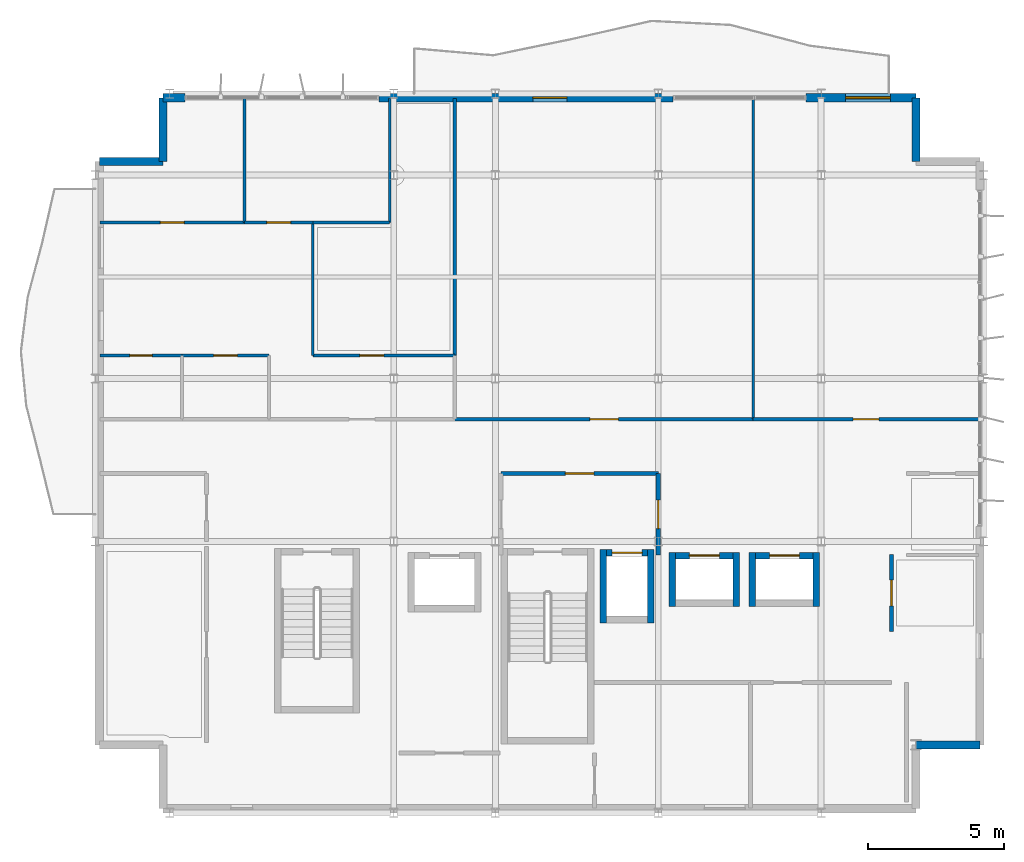
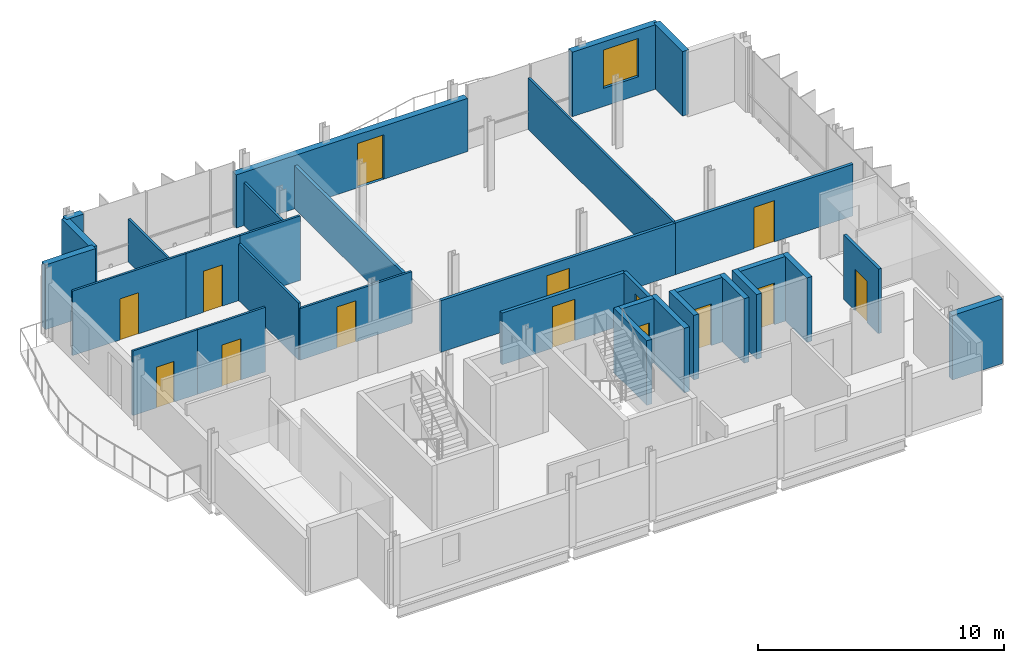
# One storey, part 9 of 12: 32 walls, 14 doors, 1 window, 15 openings.
"""IFC4 building model written with IfcOpenShell, lengths in metres."""

from ifc_helpers import new_model, si_unit, direction, frame, frame_2d, origin, place, context, subcontext, project, spatial, rectangle, extrude, material, layer, layer_set, type_object, element, fill, save


model = new_model("IFC4")

# Units and contexts
model_context = context("Model", 3, precision=1e-05, world=origin(), true_north=direction((0.0, 1.0)))
body_context = subcontext(model_context, "Body", "Model", "MODEL_VIEW")
ifc_project = project(units=[si_unit("LENGTHUNIT", "METRE"), si_unit("AREAUNIT", "SQUARE_METRE"), si_unit("VOLUMEUNIT", "CUBIC_METRE"), si_unit("PLANEANGLEUNIT", "RADIAN"), si_unit("MASSUNIT", "GRAM", prefix="KILO")], contexts=[model_context])

# Site, building, storey
site_placement = place(None, origin())
site = spatial("IfcSite", under=ifc_project, at=site_placement, CompositionType="ELEMENT")
building_placement = place(site_placement, origin())
building = spatial("IfcBuilding", under=site, at=building_placement, Name="Brevholm Reach", CompositionType="ELEMENT")
storey_placement = place(building_placement, frame((0.0, 0.0, 236.60009765625)))
storey = spatial("IfcBuildingStorey", under=building, at=storey_placement, Name="L72", CompositionType="ELEMENT", Elevation=236.60009765625)

# Walls
ifc_material_1 = material(Name="Concrete C45/55", Category="concrete")
ifc_layer_1 = layer(ifc_material_1, 0.239990234375)
ifc_layer_set_1 = layer_set([ifc_layer_1], Name="Concrete C45/55")
wall_type_1 = type_object("IfcWallType", Name="WAL-COR-240", PredefinedType="SHEAR", material=ifc_layer_set_1)
for number, where, z_axis, x_axis, name in (
    (1, (45.969970703125, 7.0, 0.0), (0.0, 0.0, 1.0), (0.0, 1.0, 0.0), "L72 Lift FFL-2 Shaft Wall W"),
    (2, (47.72998046875, 7.0, 0.0), (0.0, 0.0, 1.0), (0.0, 1.0, 0.0), "L72 Lift FFL-2 Shaft Wall E"),
):
    element("IfcWall", number, at=place(storey_placement, frame(where, z_axis=z_axis, x_axis=x_axis)), inside=storey, type_object=wall_type_1, Name=name, PredefinedType="SHEAR", context=body_context, shape_type="SweptSolid", body=[
        extrude(rectangle(XDim=2.699951171875, YDim=0.239990234375, at=frame_2d((1.35009765625, 0.0))), origin(), (0.0, 0.0, 1.0), 3.199951171875),
    ])

# Wall, opening, door
wall_1_placement = place(storey_placement, frame((46.090087890625, 9.580078125, 0.0), z_axis=(0.0, 0.0, 1.0), x_axis=(1.0, 0.0, 0.0)))
wall_1 = element("IfcWall", 3, at=wall_1_placement, inside=storey, type_object=wall_type_1, Name="L72 Lift FFL-2 Shaft Wall N", PredefinedType="SHEAR", context=body_context, shape_type="SweptSolid", body=[
    extrude(rectangle(XDim=1.52001953125, YDim=0.239990234375, at=frame_2d((0.760009765625, 0.0))), origin(), (0.0, 0.0, 1.0), 3.199951171875),
])
opening_1_placement = place(wall_1_placement, frame((0.2099609375, 0.0, 0.0)))
opening_1 = element("IfcOpeningElement", 4, at=opening_1_placement, cuts=wall_1, Name="Opening LD-FFL-2", PredefinedType="OPENING", context=body_context, shape_type="SweptSolid", body=[
    extrude(rectangle(XDim=1.10009765625, YDim=2.06005859375, at=frame_2d((0.550048828125, 1.030029296875))), frame((0.0, 0.1298828125, 0.0), z_axis=(0.0, -1.0, 0.0), x_axis=(1.0, 0.0, 0.0)), (0.0, 0.0, 1.0), 0.260009765625),
])
ifc_material_2 = material(Name="Brushed Stainless Steel Fire-Rated Sliding Lift Door", Category="steel")
door_type_1 = type_object("IfcDoorType", Name="DOR-LFT-1100", OperationType="NOTDEFINED", PredefinedType="DOOR", material=ifc_material_2)
door_1_placement = place(opening_1_placement, origin())
door_1 = element("IfcDoor", 5, at=door_1_placement, inside=storey, type_object=door_type_1, Name="L72 Lift FFL-2 Sliding Landing Door", OperationType="SLIDING_TO_LEFT", OverallHeight=2.06005859375, OverallWidth=1.10009765625, PredefinedType="DOOR", context=body_context, shape_type="SweptSolid", body=[
    extrude(rectangle(XDim=1.10009765625, YDim=2.06005859375, at=frame_2d((0.550048828125, 1.030029296875))), frame((0.0, 0.02490234375, 0.0), z_axis=(0.0, -1.0, 0.0), x_axis=(1.0, 0.0, 0.0)), (0.0, 0.0, 1.0), 0.050048828125),
])
fill(opening_1, door_1)

# Walls
for number, where, z_axis, x_axis, name in (
    (6, (48.52001953125, 7.60009765625, 0.0), (0.0, 0.0, 1.0), (0.0, 1.0, 0.0), "L72 Lift PL-H1 Shaft Wall W"),
    (7, (50.8798828125, 7.60009765625, 0.0), (0.0, 0.0, 1.0), (0.0, 1.0, 0.0), "L72 Lift PL-H1 Shaft Wall E"),
):
    element("IfcWall", number, at=place(storey_placement, frame(where, z_axis=z_axis, x_axis=x_axis)), inside=storey, type_object=wall_type_1, Name=name, PredefinedType="SHEAR", context=body_context, shape_type="SweptSolid", body=[
        extrude(rectangle(XDim=2.0, YDim=0.239990234375, at=frame_2d((1.0, 0.0))), origin(), (0.0, 0.0, 1.0), 3.199951171875),
    ])

# Wall, opening, door
wall_2_placement = place(storey_placement, frame((48.639892578125, 9.47998046875, 0.0), z_axis=(0.0, 0.0, 1.0), x_axis=(1.0, 0.0, 0.0)))
wall_2 = element("IfcWall", 8, at=wall_2_placement, inside=storey, type_object=wall_type_1, Name="L72 Lift PL-H1 Shaft Wall N", PredefinedType="SHEAR", context=body_context, shape_type="SweptSolid", body=[
    extrude(rectangle(XDim=2.1201171875, YDim=0.239990234375, at=frame_2d((1.06005859375, 0.0))), origin(), (0.0, 0.0, 1.0), 3.199951171875),
])
opening_2_placement = place(wall_2_placement, frame((0.510009765625, 0.0, 0.0)))
opening_2 = element("IfcOpeningElement", 9, at=opening_2_placement, cuts=wall_2, Name="Opening LD-PL-H1", PredefinedType="OPENING", context=body_context, shape_type="SweptSolid", body=[
    extrude(rectangle(XDim=1.10009765625, YDim=2.06005859375, at=frame_2d((0.550048828125, 1.030029296875))), frame((0.0, 0.1298828125, 0.0), z_axis=(0.0, -1.0, 0.0), x_axis=(1.0, 0.0, 0.0)), (0.0, 0.0, 1.0), 0.260009765625),
])
door_2_placement = place(opening_2_placement, origin())
door_2 = element("IfcDoor", 10, at=door_2_placement, inside=storey, type_object=door_type_1, Name="L72 Lift PL-H1 Sliding Landing Door", OperationType="SLIDING_TO_LEFT", OverallHeight=2.06005859375, OverallWidth=1.10009765625, PredefinedType="DOOR", context=body_context, shape_type="SweptSolid", body=[
    extrude(rectangle(XDim=1.10009765625, YDim=2.06005859375, at=frame_2d((0.550048828125, 1.030029296875))), frame((0.0, 0.02490234375, 0.0), z_axis=(0.0, -1.0, 0.0), x_axis=(1.0, 0.0, 0.0)), (0.0, 0.0, 1.0), 0.050048828125),
])
fill(opening_2, door_2)

# Walls
for number, where, z_axis, x_axis, name in (
    (11, (51.469970703125, 7.60009765625, 0.0), (0.0, 0.0, 1.0), (0.0, 1.0, 0.0), "L72 Lift PL-H2 Shaft Wall W"),
    (12, (53.830078125, 7.60009765625, 0.0), (0.0, 0.0, 1.0), (0.0, 1.0, 0.0), "L72 Lift PL-H2 Shaft Wall E"),
):
    element("IfcWall", number, at=place(storey_placement, frame(where, z_axis=z_axis, x_axis=x_axis)), inside=storey, type_object=wall_type_1, Name=name, PredefinedType="SHEAR", context=body_context, shape_type="SweptSolid", body=[
        extrude(rectangle(XDim=2.0, YDim=0.239990234375, at=frame_2d((1.0, 0.0))), origin(), (0.0, 0.0, 1.0), 3.199951171875),
    ])

# Wall, opening, door
wall_3_placement = place(storey_placement, frame((51.590087890625, 9.47998046875, 0.0), z_axis=(0.0, 0.0, 1.0), x_axis=(1.0, 0.0, 0.0)))
wall_3 = element("IfcWall", 13, at=wall_3_placement, inside=storey, type_object=wall_type_1, Name="L72 Lift PL-H2 Shaft Wall N", PredefinedType="SHEAR", context=body_context, shape_type="SweptSolid", body=[
    extrude(rectangle(XDim=2.119873046875, YDim=0.239990234375, at=frame_2d((1.06005859375, 0.0))), origin(), (0.0, 0.0, 1.0), 3.199951171875),
])
opening_3_placement = place(wall_3_placement, frame((0.510009765625, 0.0, 0.0)))
opening_3 = element("IfcOpeningElement", 14, at=opening_3_placement, cuts=wall_3, Name="Opening LD-PL-H2", PredefinedType="OPENING", context=body_context, shape_type="SweptSolid", body=[
    extrude(rectangle(XDim=1.10009765625, YDim=2.06005859375, at=frame_2d((0.550048828125, 1.030029296875))), frame((0.0, 0.1298828125, 0.0), z_axis=(0.0, -1.0, 0.0), x_axis=(1.0, 0.0, 0.0)), (0.0, 0.0, 1.0), 0.260009765625),
])
door_3_placement = place(opening_3_placement, origin())
door_3 = element("IfcDoor", 15, at=door_3_placement, inside=storey, type_object=door_type_1, Name="L72 Lift PL-H2 Sliding Landing Door", OperationType="SLIDING_TO_RIGHT", OverallHeight=2.06005859375, OverallWidth=1.10009765625, PredefinedType="DOOR", context=body_context, shape_type="SweptSolid", body=[
    extrude(rectangle(XDim=1.10009765625, YDim=2.06005859375, at=frame_2d((0.550048828125, 1.030029296875))), frame((0.0, 0.02490234375, 0.0), z_axis=(0.0, -1.0, 0.0), x_axis=(1.0, 0.0, 0.0)), (0.0, 0.0, 1.0), 0.050048828125),
])
fill(opening_3, door_3)

# Walls
ifc_material_3 = material(Name="Concrete C40/50", Category="concrete")
ifc_layer_2 = layer(ifc_material_3, 0.300048828125)
ifc_layer_set_2 = layer_set([ifc_layer_2], Name="Concrete C40/50")
wall_type_2 = type_object("IfcWallType", Name="WAL-EXT-300", PredefinedType="STANDARD", material=ifc_layer_set_2)
for number, where, z_axis, x_axis, name in (
    (16, (57.5, 2.5, 0.0), (0.0, 0.0, 1.0), (1.0, 0.0, 0.0), "L72 Facade Wall WAL-L72-CSE2"),
    (17, (57.5, 24.0, 0.0), (0.0, 0.0, 1.0), (0.0, 1.0, 0.0), "L72 Facade Wall WAL-L72-CNE2"),
    (18, (29.75, 26.35009765625, 0.0), (0.0, 0.0, 1.0), (0.0, -1.0, 0.0), "L72 Facade Wall WAL-L72-CNW1"),
    (19, (29.75, 24.0, 0.0), (0.0, 0.0, 1.0), (-1.0, 0.0, 0.0), "L72 Facade Wall WAL-L72-CNW2"),
):
    element("IfcWall", number, at=place(storey_placement, frame(where, z_axis=z_axis, x_axis=x_axis)), inside=storey, type_object=wall_type_2, Name=name, PredefinedType="STANDARD", context=body_context, shape_type="SweptSolid", body=[
        extrude(rectangle(XDim=2.35009765625, YDim=0.300048828125, at=frame_2d((1.175048828125, 0.0))), origin(), (0.0, 0.0, 1.0), 3.199951171875),
    ])
wall_4_placement = place(storey_placement, frame((29.75, 26.35009765625, 0.0), z_axis=(0.0, 0.0, 1.0), x_axis=(1.0, 0.0, 0.0)))
element("IfcWall", 20, at=wall_4_placement, inside=storey, type_object=wall_type_2, Name="L72 Facade Wall WAL-L72-NP-1", PredefinedType="STANDARD", context=body_context, shape_type="SweptSolid", body=[
    extrude(rectangle(XDim=0.800048828125, YDim=0.300048828125, at=frame_2d((0.39990234375, 0.0))), origin(), (0.0, 0.0, 1.0), 3.199951171875),
])

# Wall, opening, door
wall_5_placement = place(storey_placement, frame((37.699951171875, 26.35009765625, 0.0), z_axis=(0.0, 0.0, 1.0), x_axis=(1.0, 0.0, 0.0)))
wall_5 = element("IfcWall", 21, at=wall_5_placement, inside=storey, type_object=wall_type_2, Name="L72 Facade Wall WAL-L72-NP-2", PredefinedType="STANDARD", context=body_context, shape_type="SweptSolid", body=[
    extrude(rectangle(XDim=10.85009765625, YDim=0.300048828125, at=frame_2d((5.425048828125, 0.0))), origin(), (0.0, 0.0, 1.0), 2.635498046875),
])
opening_4_placement = place(wall_5_placement, frame((5.677001953125, 0.0, 0.0)))
opening_4 = element("IfcOpeningElement", 22, at=opening_4_placement, cuts=wall_5, Name="Opening BD-02", PredefinedType="OPENING", context=body_context, shape_type="SweptSolid", body=[
    extrude(rectangle(XDim=1.25, YDim=2.199951171875, at=frame_2d((0.625, 1.10009765625))), frame((0.0, 0.159912109375, 0.0), z_axis=(0.0, -1.0, 0.0), x_axis=(1.0, 0.0, 0.0)), (0.0, 0.0, 1.0), 0.320068359375),
])
ifc_material_4 = material(Name="Dark Anodised Aluminium and Triple-Glazed Glass", Category="aluminium")
door_type_2 = type_object("IfcDoorType", Name="DOR-BALC-1250", OperationType="NOTDEFINED", PredefinedType="DOOR", material=ifc_material_4)
door_4_placement = place(opening_4_placement, origin())
door_4 = element("IfcDoor", 23, at=door_4_placement, inside=storey, type_object=door_type_2, Name="L72 Exterior Door DOR-L72-BL-NE", OperationType="SINGLE_SWING_RIGHT", OverallHeight=2.199951171875, OverallWidth=1.25, PredefinedType="DOOR", context=body_context, shape_type="SweptSolid", body=[
    extrude(rectangle(XDim=1.25, YDim=2.199951171875, at=frame_2d((0.625, 1.10009765625))), frame((0.0, 0.02490234375, 0.0), z_axis=(0.0, -1.0, 0.0), x_axis=(1.0, 0.0, 0.0)), (0.0, 0.0, 1.0), 0.050048828125),
])
fill(opening_4, door_4)

# Wall, opening, window
wall_6_placement = place(storey_placement, frame((53.449951171875, 26.35009765625, 0.0), z_axis=(0.0, 0.0, 1.0), x_axis=(1.0, 0.0, 0.0)))
wall_6 = element("IfcWall", 24, at=wall_6_placement, inside=storey, type_object=wall_type_2, Name="L72 Facade Wall WAL-L72-NP-4", PredefinedType="STANDARD", context=body_context, shape_type="SweptSolid", body=[
    extrude(rectangle(XDim=4.050048828125, YDim=0.300048828125, at=frame_2d((2.02490234375, 0.0))), origin(), (0.0, 0.0, 1.0), 3.199951171875),
])
opening_5_placement = place(wall_6_placement, frame((1.449951171875, 0.0, 0.89990234375)))
opening_5 = element("IfcOpeningElement", 25, at=opening_5_placement, cuts=wall_6, Name="Opening WN-06", PredefinedType="OPENING", context=body_context, shape_type="SweptSolid", body=[
    extrude(rectangle(XDim=1.64990234375, YDim=1.89990234375, at=frame_2d((0.824951171875, 0.949951171875))), frame((0.0, 0.159912109375, 0.0), z_axis=(0.0, -1.0, 0.0), x_axis=(1.0, 0.0, 0.0)), (0.0, 0.0, 1.0), 0.320068359375),
])
ifc_material_5 = material(Name="Dark Anodised Aluminium and Solar-Control IGU Glass", Category="aluminium")
window_type = type_object("IfcWindowType", Name="WIN-RES-1650", PartitioningType="SINGLE_PANEL", PredefinedType="WINDOW", material=ifc_material_5)
window_placement = place(opening_5_placement, origin())
window = element("IfcWindow", 26, at=window_placement, inside=storey, type_object=window_type, Name="L72 Window WIN-L72-NP-4", OverallHeight=1.89990234375, OverallWidth=1.64990234375, PartitioningType="SINGLE_PANEL", PredefinedType="WINDOW", context=body_context, shape_type="SweptSolid", body=[
    extrude(rectangle(XDim=1.64990234375, YDim=1.89990234375, at=frame_2d((0.824951171875, 0.949951171875))), frame((0.0, 0.030029296875, 0.0), z_axis=(0.0, -1.0, 0.0), x_axis=(1.0, 0.0, 0.0)), (0.0, 0.0, 1.0), 0.06005859375),
])
fill(opening_5, window)

# Wall, opening, door
ifc_material_6 = material(Name="Moisture-Resistant Acoustic Gypsum Stud Partition 100 mm", Category="gypsum")
ifc_layer_3 = layer(ifc_material_6, 0.10009765625)
ifc_layer_set_3 = layer_set([ifc_layer_3], Name="Moisture-Resistant Acoustic Gypsum Stud Partition 100 mm")
wall_type_3 = type_object("IfcWallType", Name="WAL-PRT-100", PredefinedType="PARTITIONING", material=ifc_layer_set_3)
wall_7_placement = place(storey_placement, frame((27.429931640625, 16.85009765625, 0.0), z_axis=(0.0, 0.0, 1.0), x_axis=(1.0, 0.0, 0.0)))
wall_7 = element("IfcWall", 27, at=wall_7_placement, inside=storey, type_object=wall_type_3, Name="L72 Internal Partition 022", PredefinedType="PARTITIONING", context=body_context, shape_type="SweptSolid", body=[
    extrude(rectangle(XDim=3.02001953125, YDim=0.10009765625, at=frame_2d((1.510009765625, 0.0))), origin(), (0.0, 0.0, 1.0), 3.199951171875),
])
opening_6_placement = place(wall_7_placement, frame((1.10009765625, 0.0, 0.0)))
opening_6 = element("IfcOpeningElement", 28, at=opening_6_placement, cuts=wall_7, Name="Opening ID-03", PredefinedType="OPENING", context=body_context, shape_type="SweptSolid", body=[
    extrude(rectangle(XDim=0.820068359375, YDim=2.02001953125, at=frame_2d((0.41015625, 1.010009765625))), frame((0.0, 0.06005859375, 0.0), z_axis=(0.0, -1.0, 0.0), x_axis=(1.0, 0.0, 0.0)), (0.0, 0.0, 1.0), 0.1201171875),
])
ifc_material_7 = material(Name="Moisture-Resistant Painted Timber Internal Bathroom Door", Category="wood")
door_type_3 = type_object("IfcDoorType", Name="DOR-BATH-820", OperationType="NOTDEFINED", PredefinedType="DOOR", material=ifc_material_7)
door_5_placement = place(opening_6_placement, origin())
door_5 = element("IfcDoor", 29, at=door_5_placement, inside=storey, type_object=door_type_3, Name="L72 Internal Door 014", OperationType="SINGLE_SWING_RIGHT", OverallHeight=2.02001953125, OverallWidth=0.820068359375, PredefinedType="DOOR", context=body_context, shape_type="SweptSolid", body=[
    extrude(rectangle(XDim=0.820068359375, YDim=2.02001953125, at=frame_2d((0.41015625, 1.010009765625))), frame((0.0, 0.02490234375, 0.0), z_axis=(0.0, -1.0, 0.0), x_axis=(1.0, 0.0, 0.0)), (0.0, 0.0, 1.0), 0.050048828125),
])
fill(opening_6, door_5)

wall_8_placement = place(storey_placement, frame((30.4541015625, 16.85009765625, 0.0), z_axis=(0.0, 0.0, 1.0), x_axis=(1.0, 0.0, 0.0)))
wall_8 = element("IfcWall", 30, at=wall_8_placement, inside=storey, type_object=wall_type_3, Name="L72 Internal Partition 024", PredefinedType="PARTITIONING", context=body_context, shape_type="SweptSolid", body=[
    extrude(rectangle(XDim=3.19580078125, YDim=0.10009765625, at=frame_2d((1.597900390625, 0.0))), origin(), (0.0, 0.0, 1.0), 3.199951171875),
])
opening_7_placement = place(wall_8_placement, frame((1.157958984375, 0.0, 0.0)))
opening_7 = element("IfcOpeningElement", 31, at=opening_7_placement, cuts=wall_8, Name="Opening ID-01", PredefinedType="OPENING", context=body_context, shape_type="SweptSolid", body=[
    extrude(rectangle(XDim=0.8798828125, YDim=2.0400390625, at=frame_2d((0.43994140625, 1.02001953125))), frame((0.0, 0.06005859375, 0.0), z_axis=(0.0, -1.0, 0.0), x_axis=(1.0, 0.0, 0.0)), (0.0, 0.0, 1.0), 0.1201171875),
])
ifc_material_8 = material(Name="Lacquered Ash Solid-Core Acoustic Internal Door", Category="timber")
door_type_4 = type_object("IfcDoorType", Name="DOR-INT-880", OperationType="NOTDEFINED", PredefinedType="DOOR", material=ifc_material_8)
door_6_placement = place(opening_7_placement, origin())
door_6 = element("IfcDoor", 32, at=door_6_placement, inside=storey, type_object=door_type_4, Name="L72 Internal Door 015", OperationType="SINGLE_SWING_LEFT", OverallHeight=2.0400390625, OverallWidth=0.8798828125, PredefinedType="DOOR", context=body_context, shape_type="SweptSolid", body=[
    extrude(rectangle(XDim=0.8798828125, YDim=2.0400390625, at=frame_2d((0.43994140625, 1.02001953125))), frame((0.0, 0.02490234375, 0.0), z_axis=(0.0, -1.0, 0.0), x_axis=(1.0, 0.0, 0.0)), (0.0, 0.0, 1.0), 0.050048828125),
])
fill(opening_7, door_6)

# Wall
wall_9_placement = place(storey_placement, frame((32.75, 21.75, 0.0), z_axis=(0.0, 0.0, 1.0), x_axis=(0.0, 1.0, 0.0)))
element("IfcWall", 33, at=wall_9_placement, inside=storey, type_object=wall_type_3, Name="L72 Internal Partition 025", PredefinedType="PARTITIONING", context=body_context, shape_type="SweptSolid", body=[
    extrude(rectangle(XDim=4.570068359375, YDim=0.10009765625, at=frame_2d((2.28515625, 0.0))), origin(), (0.0, 0.0, 1.0), 2.138671875),
])

# Wall, opening, door
wall_10_placement = place(storey_placement, frame((27.429931640625, 21.75, 0.0), z_axis=(0.0, 0.0, 1.0), x_axis=(1.0, 0.0, 0.0)))
wall_10 = element("IfcWall", 34, at=wall_10_placement, inside=storey, type_object=wall_type_3, Name="L72 Internal Partition 026", PredefinedType="PARTITIONING", context=body_context, shape_type="SweptSolid", body=[
    extrude(rectangle(XDim=5.320068359375, YDim=0.10009765625, at=frame_2d((2.66015625, 0.0))), origin(), (0.0, 0.0, 1.0), 3.199951171875),
])
opening_8_placement = place(wall_10_placement, frame((2.219970703125, 0.0, 0.0)))
opening_8 = element("IfcOpeningElement", 35, at=opening_8_placement, cuts=wall_10, Name="Opening ID-01", PredefinedType="OPENING", context=body_context, shape_type="SweptSolid", body=[
    extrude(rectangle(XDim=0.8798828125, YDim=2.0400390625, at=frame_2d((0.43994140625, 1.02001953125))), frame((0.0, 0.06005859375, 0.0), z_axis=(0.0, -1.0, 0.0), x_axis=(1.0, 0.0, 0.0)), (0.0, 0.0, 1.0), 0.1201171875),
])
door_7_placement = place(opening_8_placement, origin())
door_7 = element("IfcDoor", 36, at=door_7_placement, inside=storey, type_object=door_type_4, Name="L72 Internal Door 016", OperationType="SINGLE_SWING_RIGHT", OverallHeight=2.0400390625, OverallWidth=0.8798828125, PredefinedType="DOOR", context=body_context, shape_type="SweptSolid", body=[
    extrude(rectangle(XDim=0.8798828125, YDim=2.0400390625, at=frame_2d((0.43994140625, 1.02001953125))), frame((0.0, 0.02490234375, 0.0), z_axis=(0.0, -1.0, 0.0), x_axis=(1.0, 0.0, 0.0)), (0.0, 0.0, 1.0), 0.050048828125),
])
fill(opening_8, door_7)

# Walls
wall_11_placement = place(storey_placement, frame((38.10009765625, 21.75, 0.0), z_axis=(0.0, 0.0, 1.0), x_axis=(0.0, 1.0, 0.0)))
element("IfcWall", 37, at=wall_11_placement, inside=storey, type_object=wall_type_3, Name="L72 Internal Partition 027", PredefinedType="PARTITIONING", context=body_context, shape_type="SweptSolid", body=[
    extrude(rectangle(XDim=4.570068359375, YDim=0.10009765625, at=frame_2d((2.28515625, 0.0))), origin(), (0.0, 0.0, 1.0), 2.138671875),
])
wall_12_placement = place(storey_placement, frame((35.255615234375, 21.75, 0.0), z_axis=(0.0, 0.0, 1.0), x_axis=(1.0, 0.0, 0.0)))
element("IfcWall", 38, at=wall_12_placement, inside=storey, type_object=wall_type_3, Name="L72 Internal Partition 028", PredefinedType="PARTITIONING", context=body_context, shape_type="SweptSolid", body=[
    extrude(rectangle(XDim=2.844482421875, YDim=0.10009765625, at=frame_2d((1.42236328125, 0.0))), origin(), (0.0, 0.0, 1.0), 3.199951171875),
])

# Wall, opening, door
wall_13_placement = place(storey_placement, frame((32.75390625, 21.75, 0.0), z_axis=(0.0, 0.0, 1.0), x_axis=(1.0, 0.0, 0.0)))
wall_13 = element("IfcWall", 39, at=wall_13_placement, inside=storey, type_object=wall_type_3, Name="L72 Internal Partition 029", PredefinedType="PARTITIONING", context=body_context, shape_type="SweptSolid", body=[
    extrude(rectangle(XDim=2.5205078125, YDim=0.10009765625, at=frame_2d((1.26025390625, 0.0))), origin(), (0.0, 0.0, 1.0), 3.199951171875),
])
opening_9_placement = place(wall_13_placement, frame((0.820068359375, 0.0, 0.0)))
opening_9 = element("IfcOpeningElement", 40, at=opening_9_placement, cuts=wall_13, Name="Opening ID-01", PredefinedType="OPENING", context=body_context, shape_type="SweptSolid", body=[
    extrude(rectangle(XDim=0.8798828125, YDim=2.0400390625, at=frame_2d((0.43994140625, 1.02001953125))), frame((0.0, 0.06005859375, 0.0), z_axis=(0.0, -1.0, 0.0), x_axis=(1.0, 0.0, 0.0)), (0.0, 0.0, 1.0), 0.1201171875),
])
door_8_placement = place(opening_9_placement, origin())
door_8 = element("IfcDoor", 41, at=door_8_placement, inside=storey, type_object=door_type_4, Name="L72 Internal Door 017", OperationType="SINGLE_SWING_LEFT", OverallHeight=2.0400390625, OverallWidth=0.8798828125, PredefinedType="DOOR", context=body_context, shape_type="SweptSolid", body=[
    extrude(rectangle(XDim=0.8798828125, YDim=2.0400390625, at=frame_2d((0.43994140625, 1.02001953125))), frame((0.0, 0.02490234375, 0.0), z_axis=(0.0, -1.0, 0.0), x_axis=(1.0, 0.0, 0.0)), (0.0, 0.0, 1.0), 0.050048828125),
])
fill(opening_9, door_8)

# Wall
wall_14_placement = place(storey_placement, frame((35.26708984375, 16.85009765625, 0.0), z_axis=(0.0, 0.0, 1.0), x_axis=(0.0, 1.0, 0.0)))
element("IfcWall", 42, at=wall_14_placement, inside=storey, type_object=wall_type_3, Name="L72 Internal Partition 030", PredefinedType="PARTITIONING", context=body_context, shape_type="SweptSolid", body=[
    extrude(rectangle(XDim=4.89599609375, YDim=0.10009765625, at=frame_2d((2.447998046875, 0.0))), origin(), (0.0, 0.0, 1.0), 2.81982421875),
])

# Wall, opening, door
wall_15_placement = place(storey_placement, frame((35.26708984375, 16.85009765625, 0.0), z_axis=(0.0, 0.0, 1.0), x_axis=(1.0, 0.0, 0.0)))
wall_15 = element("IfcWall", 43, at=wall_15_placement, inside=storey, type_object=wall_type_3, Name="L72 Internal Partition 031", PredefinedType="PARTITIONING", context=body_context, shape_type="SweptSolid", body=[
    extrude(rectangle(XDim=5.23291015625, YDim=0.10009765625, at=frame_2d((2.616455078125, 0.0))), origin(), (0.0, 0.0, 1.0), 2.562744140625),
])
opening_10_placement = place(wall_15_placement, frame((1.736572265625, 0.0, 0.0)))
opening_10 = element("IfcOpeningElement", 44, at=opening_10_placement, cuts=wall_15, Name="Opening ID-01", PredefinedType="OPENING", context=body_context, shape_type="SweptSolid", body=[
    extrude(rectangle(XDim=0.8798828125, YDim=2.0400390625, at=frame_2d((0.43994140625, 1.02001953125))), frame((0.0, 0.06005859375, 0.0), z_axis=(0.0, -1.0, 0.0), x_axis=(1.0, 0.0, 0.0)), (0.0, 0.0, 1.0), 0.1201171875),
])
door_9_placement = place(opening_10_placement, origin())
door_9 = element("IfcDoor", 45, at=door_9_placement, inside=storey, type_object=door_type_4, Name="L72 Internal Door 018", OperationType="SINGLE_SWING_RIGHT", OverallHeight=2.0400390625, OverallWidth=0.8798828125, PredefinedType="DOOR", context=body_context, shape_type="SweptSolid", body=[
    extrude(rectangle(XDim=0.8798828125, YDim=2.0400390625, at=frame_2d((0.43994140625, 1.02001953125))), frame((0.0, 0.02490234375, 0.0), z_axis=(0.0, -1.0, 0.0), x_axis=(1.0, 0.0, 0.0)), (0.0, 0.0, 1.0), 0.050048828125),
])
fill(opening_10, door_9)

# Wall
wall_16_placement = place(storey_placement, frame((51.5, 14.50390625, 0.0), z_axis=(0.0, 0.0, 1.0), x_axis=(0.0, 1.0, 0.0)))
element("IfcWall", 46, at=wall_16_placement, inside=storey, type_object=wall_type_3, Name="L72 Internal Partition 034", PredefinedType="PARTITIONING", context=body_context, shape_type="SweptSolid", body=[
    extrude(rectangle(XDim=11.816162109375, YDim=0.10009765625, at=frame_2d((5.908203125, 0.0))), origin(), (0.0, 0.0, 1.0), 2.562744140625),
])

# Wall, opening, door
ifc_material_9 = material(Name="Twin-Stud Acoustic Fire-Rated Gypsum Partition 140 mm", Category="gypsum")
ifc_layer_4 = layer(ifc_material_9, 0.139892578125)
ifc_layer_set_4 = layer_set([ifc_layer_4], Name="Twin-Stud Acoustic Fire-Rated Gypsum Partition 140 mm")
wall_type_4 = type_object("IfcWallType", Name="WAL-PRT-140", PredefinedType="PARTITIONING", material=ifc_layer_set_4)
wall_17_placement = place(storey_placement, frame((56.60009765625, 6.688720703125, 0.0), z_axis=(0.0, 0.0, 1.0), x_axis=(0.0, 1.0, 0.0)))
wall_17 = element("IfcWall", 47, at=wall_17_placement, inside=storey, type_object=wall_type_4, Name="L72 Internal Partition 008", PredefinedType="PARTITIONING", context=body_context, shape_type="SweptSolid", body=[
    extrude(rectangle(XDim=2.822509765625, YDim=0.139892578125, at=frame_2d((1.4111328125, 0.0))), origin(), (0.0, 0.0, 1.0), 3.199951171875),
])
opening_11_placement = place(wall_17_placement, frame((0.936279296875, 0.0, 0.0)))
opening_11 = element("IfcOpeningElement", 48, at=opening_11_placement, cuts=wall_17, Name="Opening ID-30", PredefinedType="OPENING", context=body_context, shape_type="SweptSolid", body=[
    extrude(rectangle(XDim=0.949951171875, YDim=2.050048828125, at=frame_2d((0.47509765625, 1.02490234375))), frame((0.0, 0.079833984375, 0.0), z_axis=(0.0, -1.0, 0.0), x_axis=(1.0, 0.0, 0.0)), (0.0, 0.0, 1.0), 0.159912109375),
])
ifc_material_10 = material(Name="European Oak Veneered Solid-Core Fire Entrance Door", Category="timber")
door_type_5 = type_object("IfcDoorType", Name="DOR-FLT-FD30S", OperationType="NOTDEFINED", PredefinedType="DOOR", material=ifc_material_10)
door_10_placement = place(opening_11_placement, origin())
door_10 = element("IfcDoor", 49, at=door_10_placement, inside=storey, type_object=door_type_5, Name="L72 Internal Door 006", OperationType="SINGLE_SWING_RIGHT", OverallHeight=2.050048828125, OverallWidth=0.949951171875, PredefinedType="DOOR", context=body_context, shape_type="SweptSolid", body=[
    extrude(rectangle(XDim=0.949951171875, YDim=2.050048828125, at=frame_2d((0.47509765625, 1.02490234375))), frame((0.0, 0.02490234375, 0.0), z_axis=(0.0, -1.0, 0.0), x_axis=(1.0, 0.0, 0.0)), (0.0, 0.0, 1.0), 0.050048828125),
])
fill(opening_11, door_10)

wall_18_placement = place(storey_placement, frame((40.49267578125, 14.5, 0.0), z_axis=(0.0, 0.0, 1.0), x_axis=(1.0, 0.0, 0.0)))
wall_18 = element("IfcWall", 50, at=wall_18_placement, inside=storey, type_object=wall_type_4, Name="L72 Internal Partition 019", PredefinedType="PARTITIONING", context=body_context, shape_type="SweptSolid", body=[
    extrude(rectangle(XDim=11.0185546875, YDim=0.139892578125, at=frame_2d((5.50927734375, 0.0))), origin(), (0.0, 0.0, 1.0), 2.562744140625),
])
opening_12_placement = place(wall_18_placement, frame((4.984375, 0.0, 0.0)))
opening_12 = element("IfcOpeningElement", 51, at=opening_12_placement, cuts=wall_18, Name="Opening FD-01", PredefinedType="OPENING", context=body_context, shape_type="SweptSolid", body=[
    extrude(rectangle(XDim=1.050048828125, YDim=2.06005859375, at=frame_2d((0.52490234375, 1.030029296875))), frame((0.0, 0.079833984375, 0.0), z_axis=(0.0, -1.0, 0.0), x_axis=(1.0, 0.0, 0.0)), (0.0, 0.0, 1.0), 0.159912109375),
])
ifc_material_11 = material(Name="Hardwood-Lipped Steel-Core Fire and Smoke Door", Category="steel")
door_type_6 = type_object("IfcDoorType", Name="DOR-INT-FD60S", OperationType="NOTDEFINED", PredefinedType="DOOR", material=ifc_material_11)
door_11_placement = place(opening_12_placement, origin())
door_11 = element("IfcDoor", 52, at=door_11_placement, inside=storey, type_object=door_type_6, Name="L72 Internal Door 012", OperationType="SINGLE_SWING_RIGHT", OverallHeight=2.06005859375, OverallWidth=1.050048828125, PredefinedType="DOOR", context=body_context, shape_type="SweptSolid", body=[
    extrude(rectangle(XDim=1.050048828125, YDim=2.06005859375, at=frame_2d((0.52490234375, 1.030029296875))), frame((0.0, 0.02490234375, 0.0), z_axis=(0.0, -1.0, 0.0), x_axis=(1.0, 0.0, 0.0)), (0.0, 0.0, 1.0), 0.050048828125),
])
fill(opening_12, door_11)

wall_19_placement = place(storey_placement, frame((51.49267578125, 14.5, 0.0), z_axis=(0.0, 0.0, 1.0), x_axis=(1.0, 0.0, 0.0)))
wall_19 = element("IfcWall", 53, at=wall_19_placement, inside=storey, type_object=wall_type_4, Name="L72 Internal Partition 020", PredefinedType="PARTITIONING", context=body_context, shape_type="SweptSolid", body=[
    extrude(rectangle(XDim=8.327392578125, YDim=0.139892578125, at=frame_2d((4.16357421875, 0.0))), origin(), (0.0, 0.0, 1.0), 2.562744140625),
])
opening_13_placement = place(wall_19_placement, frame((3.688720703125, 0.0, 0.0)))
opening_13 = element("IfcOpeningElement", 54, at=opening_13_placement, cuts=wall_19, Name="Opening ID-30", PredefinedType="OPENING", context=body_context, shape_type="SweptSolid", body=[
    extrude(rectangle(XDim=0.949951171875, YDim=2.050048828125, at=frame_2d((0.47509765625, 1.02490234375))), frame((0.0, 0.079833984375, 0.0), z_axis=(0.0, -1.0, 0.0), x_axis=(1.0, 0.0, 0.0)), (0.0, 0.0, 1.0), 0.159912109375),
])
door_12_placement = place(opening_13_placement, origin())
door_12 = element("IfcDoor", 55, at=door_12_placement, inside=storey, type_object=door_type_5, Name="L72 Internal Door 013", OperationType="SINGLE_SWING_LEFT", OverallHeight=2.050048828125, OverallWidth=0.949951171875, PredefinedType="DOOR", context=body_context, shape_type="SweptSolid", body=[
    extrude(rectangle(XDim=0.949951171875, YDim=2.050048828125, at=frame_2d((0.47509765625, 1.02490234375))), frame((0.0, 0.02490234375, 0.0), z_axis=(0.0, -1.0, 0.0), x_axis=(1.0, 0.0, 0.0)), (0.0, 0.0, 1.0), 0.050048828125),
])
fill(opening_13, door_12)

# Wall
wall_20_placement = place(storey_placement, frame((40.5, 16.85009765625, 0.0), z_axis=(0.0, 0.0, 1.0), x_axis=(0.0, 1.0, 0.0)))
element("IfcWall", 56, at=wall_20_placement, inside=storey, type_object=wall_type_4, Name="L72 Internal Partition 032", PredefinedType="PARTITIONING", context=body_context, shape_type="SweptSolid", body=[
    extrude(rectangle(XDim=9.469970703125, YDim=0.139892578125, at=frame_2d((4.73486328125, 0.0))), origin(), (0.0, 0.0, 1.0), 2.138671875),
])

# Wall, opening, door
ifc_material_12 = material(Name="Twin-Frame Fire-Rated Gypsum Board and Mineral Wool 160 mm", Category="gypsum")
ifc_layer_5 = layer(ifc_material_12, 0.159912109375)
ifc_layer_set_5 = layer_set([ifc_layer_5], Name="Twin-Frame Fire-Rated Gypsum Board and Mineral Wool 160 mm")
wall_type_5 = type_object("IfcWallType", Name="WAL-PRT-160", PredefinedType="PARTITIONING", material=ifc_layer_set_5)
wall_21_placement = place(storey_placement, frame((48.0, 9.5, 0.0), z_axis=(0.0, 0.0, 1.0), x_axis=(0.0, 1.0, 0.0)))
wall_21 = element("IfcWall", 57, at=wall_21_placement, inside=storey, type_object=wall_type_5, Name="L72 Internal Partition 011", PredefinedType="PARTITIONING", context=body_context, shape_type="SweptSolid", body=[
    extrude(rectangle(XDim=3.0, YDim=0.159912109375, at=frame_2d((1.5, 0.0))), origin(), (0.0, 0.0, 1.0), 2.562744140625),
])
opening_14_placement = place(wall_21_placement, frame((0.97509765625, 0.0, 0.0)))
opening_14 = element("IfcOpeningElement", 58, at=opening_14_placement, cuts=wall_21, Name="Opening FD-01", PredefinedType="OPENING", context=body_context, shape_type="SweptSolid", body=[
    extrude(rectangle(XDim=1.050048828125, YDim=2.06005859375, at=frame_2d((0.52490234375, 1.030029296875))), frame((0.0, 0.08984375, 0.0), z_axis=(0.0, -1.0, 0.0), x_axis=(1.0, 0.0, 0.0)), (0.0, 0.0, 1.0), 0.179931640625),
])
door_13_placement = place(opening_14_placement, origin())
door_13 = element("IfcDoor", 59, at=door_13_placement, inside=storey, type_object=door_type_6, Name="L72 Internal Door 008", OperationType="SINGLE_SWING_RIGHT", OverallHeight=2.06005859375, OverallWidth=1.050048828125, PredefinedType="DOOR", context=body_context, shape_type="SweptSolid", body=[
    extrude(rectangle(XDim=1.050048828125, YDim=2.06005859375, at=frame_2d((0.52490234375, 1.030029296875))), frame((0.0, 0.02490234375, 0.0), z_axis=(0.0, -1.0, 0.0), x_axis=(1.0, 0.0, 0.0)), (0.0, 0.0, 1.0), 0.050048828125),
])
fill(opening_14, door_13)

wall_22_placement = place(storey_placement, frame((42.199951171875, 12.5, 0.0), z_axis=(0.0, 0.0, 1.0), x_axis=(1.0, 0.0, 0.0)))
wall_22 = element("IfcWall", 60, at=wall_22_placement, inside=storey, type_object=wall_type_5, Name="L72 Internal Partition 012", PredefinedType="PARTITIONING", context=body_context, shape_type="SweptSolid", body=[
    extrude(rectangle(XDim=5.800048828125, YDim=0.159912109375, at=frame_2d((2.89990234375, 0.0))), origin(), (0.0, 0.0, 1.0), 2.562744140625),
])
opening_15_placement = place(wall_22_placement, frame((2.375, 0.0, 0.0)))
opening_15 = element("IfcOpeningElement", 61, at=opening_15_placement, cuts=wall_22, Name="Opening FD-01", PredefinedType="OPENING", context=body_context, shape_type="SweptSolid", body=[
    extrude(rectangle(XDim=1.050048828125, YDim=2.06005859375, at=frame_2d((0.52490234375, 1.030029296875))), frame((0.0, 0.08984375, 0.0), z_axis=(0.0, -1.0, 0.0), x_axis=(1.0, 0.0, 0.0)), (0.0, 0.0, 1.0), 0.179931640625),
])
door_14_placement = place(opening_15_placement, origin())
door_14 = element("IfcDoor", 62, at=door_14_placement, inside=storey, type_object=door_type_6, Name="L72 Internal Door 009", OperationType="SINGLE_SWING_LEFT", OverallHeight=2.06005859375, OverallWidth=1.050048828125, PredefinedType="DOOR", context=body_context, shape_type="SweptSolid", body=[
    extrude(rectangle(XDim=1.050048828125, YDim=2.06005859375, at=frame_2d((0.52490234375, 1.030029296875))), frame((0.0, 0.02490234375, 0.0), z_axis=(0.0, -1.0, 0.0), x_axis=(1.0, 0.0, 0.0)), (0.0, 0.0, 1.0), 0.050048828125),
])
fill(opening_15, door_14)

save(model, "model.ifc")
